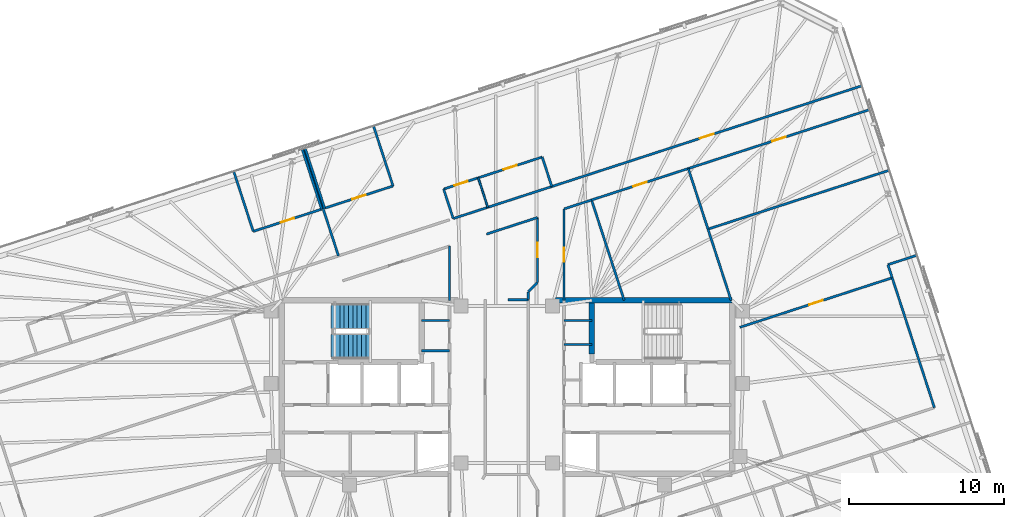
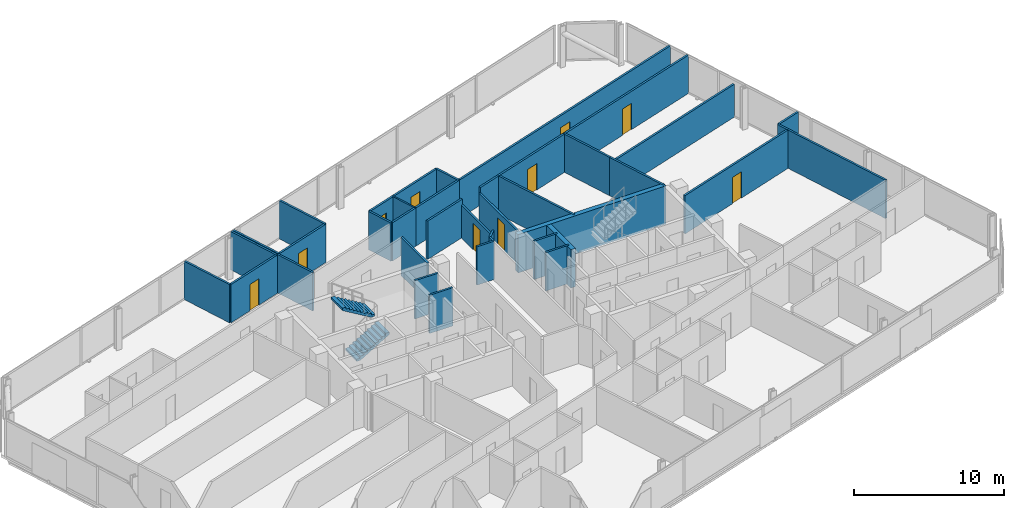
# One storey, part 17 of 19: 39 walls, 10 doors, 2 stair flights, 10 openings, 1 element without a shape of its own.
"""IFC4 building model written with IfcOpenShell, lengths in metres."""

import ifcopenshell
import ifcopenshell.guid

model = None  # the IFC model being written
_history = None  # IfcOwnerHistory: only IFC2X3 demands one
_inside = {}  # id of a spatial element -> (the spatial element, [elements in it])
_under = {}  # id of a project, library or spatial element -> (it, [spatial elements below it])
_declared = {}  # id of a project -> (the project, [libraries it declares])
_typed = {}  # id of a type object -> (the type object, [elements of that type])
_made_of = {}  # id of a material, layer set ... -> (it, [elements and type objects made of it])


def new_model(schema):
    """Start an empty IFC model of exactly this schema.

    Asked for "IFC4X3", IfcOpenShell would pick the latest addendum, in which some entities
    have other attributes; the version numbers below select the first issue.
    IFC2X3 requires an IfcOwnerHistory on every rooted entity: one is made here for all.
    """
    global model, _history
    if schema == "IFC4X3":
        model = ifcopenshell.file(schema_version=(4, 3, 0, 0))
    else:
        model = ifcopenshell.file(schema=schema)
    _inside.clear()
    _under.clear()
    _declared.clear()
    _typed.clear()
    _made_of.clear()
    _history = None
    if model.schema == "IFC2X3":
        org = make("IfcOrganization", Name="unknown")
        user = make(
            "IfcPersonAndOrganization",
            ThePerson=make("IfcPerson", FamilyName="unknown"),
            TheOrganization=org,
        )
        app = make(
            "IfcApplication",
            ApplicationDeveloper=org,
            Version="unknown",
            ApplicationFullName="unknown",
            ApplicationIdentifier="unknown",
        )
        _history = make(
            "IfcOwnerHistory",
            OwningUser=user,
            OwningApplication=app,
            ChangeAction="ADDED",
            CreationDate=0,
        )
    return model


def make(cls, **values):
    """One entity of the class cls with the attributes given. An attribute that is None is left unset."""
    return model.create_entity(
        cls, **{name: value for name, value in values.items() if value is not None}
    )


def rooted(cls, **values):
    """An entity with a GlobalId (a new one), such as an element, a storey or a relation."""
    return make(cls, GlobalId=ifcopenshell.guid.new(), OwnerHistory=_history, **values)


def si_unit(unit_type, name, prefix=None):
    """IfcSIUnit, for example si_unit("LENGTHUNIT", "METRE", prefix="MILLI")."""
    return make("IfcSIUnit", UnitType=unit_type, Prefix=prefix, Name=name)


def assignment(units):
    """IfcUnitAssignment: the units of a project."""
    return None if units is None else make("IfcUnitAssignment", Units=units)


def point(xyz):
    """IfcCartesianPoint."""
    return None if xyz is None else make("IfcCartesianPoint", Coordinates=xyz)


def direction(xyz):
    """IfcDirection."""
    return None if xyz is None else make("IfcDirection", DirectionRatios=xyz)


def frame(location, z_axis=None, x_axis=None):
    """IfcAxis2Placement3D, a coordinate frame: its origin and axes. An axis left out is left unset."""
    return make(
        "IfcAxis2Placement3D",
        Location=point(location),
        Axis=direction(z_axis),
        RefDirection=direction(x_axis),
    )


def frame_2d(location, x_axis=None):
    """IfcAxis2Placement2D, a coordinate frame in the plane: its origin and x axis."""
    return make(
        "IfcAxis2Placement2D", Location=point(location), RefDirection=direction(x_axis)
    )


def origin():
    """The frame at (0, 0, 0) with its axes left unset."""
    return frame((0.0, 0.0, 0.0))


def place(relative_to, where):
    """IfcLocalPlacement: puts the frame where relative to a parent placement (None: the world)."""
    return make(
        "IfcLocalPlacement", PlacementRelTo=relative_to, RelativePlacement=where
    )


def context(
    kind, dimensions, precision=None, world=None, true_north=None, identifier=None
):
    """IfcGeometricRepresentationContext, for example the 3D "Model" context."""
    return make(
        "IfcGeometricRepresentationContext",
        ContextIdentifier=identifier,
        ContextType=kind,
        CoordinateSpaceDimension=dimensions,
        Precision=precision,
        WorldCoordinateSystem=world,
        TrueNorth=true_north,
    )


def subcontext(parent, identifier, kind, view, scale=None):
    """IfcGeometricRepresentationSubContext, for example "Body" below "Model"."""
    return make(
        "IfcGeometricRepresentationSubContext",
        ContextIdentifier=identifier,
        ContextType=kind,
        ParentContext=parent,
        TargetScale=scale,
        TargetView=view,
    )


def project(units=None, contexts=None):
    """IfcProject with its units and contexts."""
    return rooted(
        "IfcProject",
        Name="project",
        RepresentationContexts=contexts,
        UnitsInContext=assignment(units),
    )


def spatial(cls, under=None, at=None, **own):
    """A site, building, storey or space (cls), placed at a placement, below another one or the project."""
    s = rooted(cls, ObjectPlacement=at, **own)
    if under is not None:
        _under.setdefault(under.id(), (under, []))[1].append(s)
    return s


def polyline(points):
    """IfcPolyline through the points."""
    return make("IfcPolyline", Points=[point(p) for p in points])


def profile(cls, at=None, kind="AREA", **sizes):
    """A parametric profile (cls). Its sizes go by their IFC names, for example OverallWidth=200.0."""
    return make(cls, ProfileType=kind, Position=at, **sizes)


def rectangle(**sizes):
    """IfcRectangleProfileDef."""
    return profile("IfcRectangleProfileDef", **sizes)


def outline(outer, holes=None, kind="AREA"):
    """IfcArbitraryClosedProfileDef: a profile drawn as a closed curve; with holes, ...WithVoids."""
    if holes is None:
        return make("IfcArbitraryClosedProfileDef", ProfileType=kind, OuterCurve=outer)
    return make(
        "IfcArbitraryProfileDefWithVoids",
        ProfileType=kind,
        OuterCurve=outer,
        InnerCurves=holes,
    )


def extrude(swept, where, along, depth):
    """IfcExtrudedAreaSolid: the profile swept, set in the frame where, extruded along a direction by depth."""
    return make(
        "IfcExtrudedAreaSolid",
        SweptArea=swept,
        Position=where,
        ExtrudedDirection=direction(along),
        Depth=depth,
    )


def shape(context_of_items, identifier, shape_type, items):
    """IfcShapeRepresentation: the items that make up one representation, for example the "Body"."""
    return make(
        "IfcShapeRepresentation",
        ContextOfItems=context_of_items,
        RepresentationIdentifier=identifier,
        RepresentationType=shape_type,
        Items=items,
    )


def material(Name=None, Category=None):
    """IfcMaterial."""
    return make("IfcMaterial", Name=Name, Category=Category)


def layer(
    of_material, thickness, ventilated=None, Name=None, Category=None, Priority=None
):
    """IfcMaterialLayer: one layer of a wall or slab, of a material (None: an air gap)."""
    return make(
        "IfcMaterialLayer",
        Material=of_material,
        LayerThickness=thickness,
        IsVentilated=ventilated,
        Name=Name,
        Category=Category,
        Priority=Priority,
    )


def layer_set(layers, Name=None):
    """IfcMaterialLayerSet."""
    return make("IfcMaterialLayerSet", MaterialLayers=layers, LayerSetName=Name)


def made_of(thing, what):
    """Note that an element or type object is made of a material, layer set ...; save() writes the relation."""
    if what is not None:
        _made_of.setdefault(what.id(), (what, []))[1].append(thing)
    return thing


def type_object(cls, material=None, **own):
    """A type object (cls), such as IfcWallType, which elements share."""
    return made_of(rooted(cls, **own), material)


def element(
    cls,
    number,
    at=None,
    inside=None,
    cuts=None,
    type_object=None,
    material=None,
    context=None,
    identifier="Body",
    shape_type=None,
    held_by="IfcProductDefinitionShape",
    body=None,
    shapes=None,
    **own,
):
    """One element of the class cls, such as IfcWall. Its Tag is "e" and its number.

    at: its placement. inside: the storey or other place that contains it. cuts: it is an
    opening in that element (IfcRelVoidsElement). A single representation is given by context,
    identifier, shape_type and body (its items); several are given by shapes. held_by: the class
    of the entity that holds the representations. save() writes the other relations.
    """
    e = rooted(cls, Tag="e%d" % number, ObjectPlacement=at, **own)
    if body is not None:
        shapes = [shape(context, identifier, shape_type, body)]
    if shapes is not None:
        e.Representation = make(held_by, Representations=shapes)
    if inside is not None:
        _inside.setdefault(inside.id(), (inside, []))[1].append(e)
    if cuts is not None:
        rooted(
            "IfcRelVoidsElement", RelatingBuildingElement=cuts, RelatedOpeningElement=e
        )
    if type_object is not None:
        _typed.setdefault(type_object.id(), (type_object, []))[1].append(e)
    return made_of(e, material)


def fill(opening, filler):
    """IfcRelFillsElement: the door or window that sits in an opening."""
    return rooted(
        "IfcRelFillsElement",
        RelatingOpeningElement=opening,
        RelatedBuildingElement=filler,
    )


def aggregate(whole, parts):
    """IfcRelAggregates: a whole, such as a stair, and the parts it consists of."""
    return rooted("IfcRelAggregates", RelatingObject=whole, RelatedObjects=parts)


def save(model, path):
    """Write the relations noted so far, then the file.

    IfcRelAggregates (storeys below a building ...), IfcRelContainedInSpatialStructure (elements
    in a storey), IfcRelDefinesByType, IfcRelAssociatesMaterial and IfcRelDeclares: one each for
    every whole, place, type object, material and project.
    """
    for whole, parts in _under.values():
        aggregate(whole, parts)
    for where, things in _inside.values():
        rooted(
            "IfcRelContainedInSpatialStructure",
            RelatedElements=things,
            RelatingStructure=where,
        )
    for kind, things in _typed.values():
        rooted("IfcRelDefinesByType", RelatedObjects=things, RelatingType=kind)
    for what, things in _made_of.values():
        rooted("IfcRelAssociatesMaterial", RelatedObjects=things, RelatingMaterial=what)
    for by, libraries in _declared.values():
        rooted("IfcRelDeclares", RelatingContext=by, RelatedDefinitions=libraries)
    model.write(path)


model = new_model("IFC4")

# Units and contexts
model_context = context("Model", 3, precision=1e-05, world=origin(), true_north=direction((0.0, 1.0)))
body_context = subcontext(model_context, "Body", "Model", "MODEL_VIEW")
ifc_project = project(units=[si_unit("LENGTHUNIT", "METRE"), si_unit("AREAUNIT", "SQUARE_METRE"), si_unit("VOLUMEUNIT", "CUBIC_METRE"), si_unit("PLANEANGLEUNIT", "RADIAN"), si_unit("MASSUNIT", "GRAM", prefix="KILO")], contexts=[model_context])

# Site, building, storey
site_placement = place(None, origin())
site = spatial("IfcSite", under=ifc_project, at=site_placement, CompositionType="ELEMENT")
building_placement = place(site_placement, origin())
building = spatial("IfcBuilding", under=site, at=building_placement, Name="Menara Jurai Vektor", CompositionType="ELEMENT")
storey_placement = place(building_placement, frame((0.0, 0.0, 220.949951171875)))
storey = spatial("IfcBuildingStorey", under=building, at=storey_placement, Name="L58", CompositionType="ELEMENT", Elevation=220.949951171875)

# Walls
ifc_material_1 = material(Name="Gypsum Fireboard Partition", Category="gypsum")
ifc_layer_1 = layer(ifc_material_1, 0.14990234375)
ifc_layer_set_1 = layer_set([ifc_layer_1], Name="Gypsum Fireboard Partition")
wall_type_1 = type_object("IfcWallType", Name="INT-WALL-CORR-150", PredefinedType="PARTITIONING", material=ifc_layer_set_1)
for number, where, z_axis, x_axis, name in (
    (1, (-5.5, 4.300048828125, 0.0), (0.0, 0.0, 1.0), (1.0, 0.0, 0.0), "Interior Wall IW-150 L58"),
    (2, (-5.5, 2.35009765625, 0.0), (0.0, 0.0, 1.0), (1.0, 0.0, 0.0), "Interior Wall IW-150 L58"),
    (3, (3.699951171875, 4.300048828125, 0.0), (0.0, 0.0, 1.0), (1.0, 0.0, 0.0), "Interior Wall IW-150 L58"),
    (4, (3.699951171875, 2.75, 0.0), (0.0, 0.0, 1.0), (1.0, 0.0, 0.0), "Interior Wall IW-150 L58"),
):
    element("IfcWall", number, at=place(storey_placement, frame(where, z_axis=z_axis, x_axis=x_axis)), inside=storey, type_object=wall_type_1, Name=name, PredefinedType="PARTITIONING", context=body_context, shape_type="SweptSolid", body=[
        extrude(rectangle(XDim=1.800048828125, YDim=0.14990234375, at=frame_2d((0.89990234375, 0.0))), origin(), (0.0, 0.0, 1.0), 3.125),
    ])

# Wall, opening, door
wall_1_placement = place(storey_placement, frame((2.90869140625, 12.960205078125, 0.0), z_axis=(0.0, 0.0, 1.0), x_axis=(0.951056113966, 0.309018232614, 0.0)))
wall_1 = element("IfcWall", 5, at=wall_1_placement, inside=storey, type_object=wall_type_1, Name="Interior Wall IW-150 L58", PredefinedType="PARTITIONING", context=body_context, shape_type="SweptSolid", body=[
    extrude(rectangle(XDim=21.076171875, YDim=0.14990234375, at=frame_2d((10.5380859375, 0.0))), origin(), (0.0, 0.0, 1.0), 3.125),
])
opening_1_placement = place(wall_1_placement, frame((10.06298828125, 0.0, 0.0)))
opening_1 = element("IfcOpeningElement", 6, at=opening_1_placement, cuts=wall_1, Name="Opening D58-14", PredefinedType="OPENING", context=body_context, shape_type="SweptSolid", body=[
    extrude(rectangle(XDim=0.949951171875, YDim=2.14990234375, at=frame_2d((0.47509765625, 1.074951171875))), frame((0.0, 0.0849609375, 0.0), z_axis=(0.0, -1.0, 0.0), x_axis=(1.0, 0.0, 0.0)), (0.0, 0.0, 1.0), 0.169921875),
])
ifc_material_2 = material(Name="Solid Core Timber Fire Door", Category="wood")
door_type_1 = type_object("IfcDoorType", Name="DR-ENTRY-950", OperationType="NOTDEFINED", PredefinedType="DOOR", material=ifc_material_2)
door_1_placement = place(opening_1_placement, origin())
door_1 = element("IfcDoor", 7, at=door_1_placement, inside=storey, type_object=door_type_1, Name="Interior Door D58-14", OperationType="SINGLE_SWING_RIGHT", OverallHeight=2.14990234375, OverallWidth=0.949951171875, PredefinedType="DOOR", context=body_context, shape_type="SweptSolid", body=[
    extrude(rectangle(XDim=0.949951171875, YDim=2.14990234375, at=frame_2d((0.47509765625, 1.074951171875))), frame((0.0, 0.02490234375, 0.0), z_axis=(0.0, -1.0, 0.0), x_axis=(1.0, 0.0, 0.0)), (0.0, 0.0, 1.0), 0.050048828125),
])
fill(opening_1, door_1)

# Walls
wall_2_placement = place(storey_placement, frame((-3.46337890625, 10.889892578125, 0.0), z_axis=(0.0, 0.0, 1.0), x_axis=(0.951045519245, 0.309050837767, 0.0)))
element("IfcWall", 8, at=wall_2_placement, inside=storey, type_object=wall_type_1, Name="Interior Wall IW-150 L58", PredefinedType="PARTITIONING", context=body_context, shape_type="SweptSolid", body=[
    extrude(rectangle(XDim=2.35009765625, YDim=0.14990234375, at=frame_2d((1.175048828125, 0.0))), origin(), (0.0, 0.0, 1.0), 3.125),
])
wall_3_placement = place(storey_placement, frame((-1.228271484375, 11.6162109375, 0.0), z_axis=(0.0, 0.0, 1.0), x_axis=(0.951069122051, 0.308978195154, 0.0)))
element("IfcWall", 9, at=wall_3_placement, inside=storey, type_object=wall_type_1, Name="Interior Wall IW-150 L58", PredefinedType="PARTITIONING", context=body_context, shape_type="SweptSolid", body=[
    extrude(rectangle(XDim=4.349853515625, YDim=0.14990234375, at=frame_2d((2.1748046875, 0.0))), origin(), (0.0, 0.0, 1.0), 3.125),
])
wall_4_placement = place(storey_placement, frame((3.699462890625, 11.513916015625, 0.0), z_axis=(0.0, 0.0, 1.0), x_axis=(0.951069540665, 0.308976906612, 0.0)))
element("IfcWall", 10, at=wall_4_placement, inside=storey, type_object=wall_type_1, Name="Interior Wall IW-150 L58", PredefinedType="PARTITIONING", context=body_context, shape_type="SweptSolid", body=[
    extrude(rectangle(XDim=1.87109375, YDim=0.14990234375, at=frame_2d((0.935546875, 0.0))), origin(), (0.0, 0.0, 1.0), 3.125),
])

# Wall, opening, door
wall_5_placement = place(storey_placement, frame((5.47900390625, 12.092041015625, 0.0), z_axis=(0.0, 0.0, 1.0), x_axis=(0.951051809397, 0.309031480343, 0.0)))
wall_5 = element("IfcWall", 11, at=wall_5_placement, inside=storey, type_object=wall_type_1, Name="Interior Wall IW-150 L58", PredefinedType="PARTITIONING", context=body_context, shape_type="SweptSolid", body=[
    extrude(rectangle(XDim=6.572998046875, YDim=0.14990234375, at=frame_2d((3.28662109375, 0.0))), origin(), (0.0, 0.0, 1.0), 3.125),
])
opening_2_placement = place(wall_5_placement, frame((2.826416015625, 0.0, 0.0)))
opening_2 = element("IfcOpeningElement", 12, at=opening_2_placement, cuts=wall_5, Name="Opening D58-46", PredefinedType="OPENING", context=body_context, shape_type="SweptSolid", body=[
    extrude(rectangle(XDim=0.919921875, YDim=2.14990234375, at=frame_2d((0.4599609375, 1.074951171875))), frame((0.0, 0.0849609375, 0.0), z_axis=(0.0, -1.0, 0.0), x_axis=(1.0, 0.0, 0.0)), (0.0, 0.0, 1.0), 0.169921875),
])
door_2_placement = place(opening_2_placement, origin())
door_2 = element("IfcDoor", 13, at=door_2_placement, inside=storey, type_object=door_type_1, Name="Interior Door D58-46", OperationType="SINGLE_SWING_RIGHT", OverallHeight=2.14990234375, OverallWidth=0.919921875, PredefinedType="DOOR", context=body_context, shape_type="SweptSolid", body=[
    extrude(rectangle(XDim=0.919921875, YDim=2.14990234375, at=frame_2d((0.4599609375, 1.074951171875))), frame((0.0, 0.02490234375, 0.0), z_axis=(0.0, -1.0, 0.0), x_axis=(1.0, 0.0, 0.0)), (0.0, 0.0, 1.0), 0.050048828125),
])
fill(opening_2, door_2)

# Walls
wall_6_placement = place(storey_placement, frame((-1.310791015625, 9.885986328125, 0.0), z_axis=(0.0, 0.0, 1.0), x_axis=(0.951068803905, 0.308979174442, 0.0)))
element("IfcWall", 14, at=wall_6_placement, inside=storey, type_object=wall_type_1, Name="Interior Wall IW-150 L58", PredefinedType="PARTITIONING", context=body_context, shape_type="SweptSolid", body=[
    extrude(rectangle(XDim=3.4599609375, YDim=0.14990234375, at=frame_2d((1.72998046875, 0.0))), origin(), (0.0, 0.0, 1.0), 3.125),
])
wall_7_placement = place(storey_placement, frame((1.390625, 5.6494140625, 0.0), z_axis=(0.0, 0.0, 1.0), x_axis=(0.000957395444, 0.999999541697, 0.0)))
element("IfcWall", 15, at=wall_7_placement, inside=storey, type_object=wall_type_1, Name="Interior Wall IW-150 L58", PredefinedType="PARTITIONING", context=body_context, shape_type="SweptSolid", body=[
    extrude(rectangle(XDim=0.510009765625, YDim=0.14990234375, at=frame_2d((0.2548828125, 0.0))), origin(), (0.0, 0.0, 1.0), 3.125),
])
wall_8_placement = place(storey_placement, frame((1.39111328125, 6.159423828125, 0.0), z_axis=(0.0, 0.0, 1.0), x_axis=(0.707106781187, 0.707106781187, 0.0)))
element("IfcWall", 16, at=wall_8_placement, inside=storey, type_object=wall_type_1, Name="Interior Wall IW-150 L58", PredefinedType="PARTITIONING", context=body_context, shape_type="SweptSolid", body=[
    extrude(rectangle(XDim=0.832763671875, YDim=0.14990234375, at=frame_2d((0.41650390625, 0.0))), origin(), (0.0, 0.0, 1.0), 3.125),
])
wall_9_placement = place(storey_placement, frame((-3.7001953125, 5.599853515625, 0.0), z_axis=(0.0, 0.0, 1.0), x_axis=(0.000139120755, 0.999999990323, 0.0)))
element("IfcWall", 17, at=wall_9_placement, inside=storey, type_object=wall_type_1, Name="Interior Wall IW-150 L58", PredefinedType="PARTITIONING", context=body_context, shape_type="SweptSolid", body=[
    extrude(rectangle(XDim=3.509765625, YDim=0.14990234375, at=frame_2d((1.7548828125, 0.0))), origin(), (0.0, 0.0, 1.0), 3.125),
])
wall_10_placement = place(storey_placement, frame((27.63671875, -1.331787109375, 0.0), z_axis=(0.0, 0.0, 1.0), x_axis=(-0.309040411618, 0.951048907253, 0.0)))
element("IfcWall", 18, at=wall_10_placement, inside=storey, type_object=wall_type_1, Name="Interior Wall IW-150 L58", PredefinedType="PARTITIONING", context=body_context, shape_type="SweptSolid", body=[
    extrude(rectangle(XDim=8.825927734375, YDim=0.14990234375, at=frame_2d((4.4130859375, 0.0))), origin(), (0.0, 0.0, 1.0), 3.125),
])
wall_11_placement = place(storey_placement, frame((24.9091796875, 7.06201171875, 0.0), z_axis=(0.0, 0.0, 1.0), x_axis=(-0.30899324298, 0.951064233263, 0.0)))
element("IfcWall", 19, at=wall_11_placement, inside=storey, type_object=wall_type_1, Name="Interior Wall IW-150 L58", PredefinedType="PARTITIONING", context=body_context, shape_type="SweptSolid", body=[
    extrude(rectangle(XDim=0.89208984375, YDim=0.14990234375, at=frame_2d((0.446044921875, 0.0))), origin(), (0.0, 0.0, 1.0), 3.125),
])
wall_12_placement = place(storey_placement, frame((24.633544921875, 7.910400390625, 0.0), z_axis=(0.0, 0.0, 1.0), x_axis=(0.951054051148, 0.309024581215, 0.0)))
element("IfcWall", 20, at=wall_12_placement, inside=storey, type_object=wall_type_1, Name="Interior Wall IW-150 L58", PredefinedType="PARTITIONING", context=body_context, shape_type="SweptSolid", body=[
    extrude(rectangle(XDim=1.97509765625, YDim=0.14990234375, at=frame_2d((0.987548828125, 0.0))), origin(), (0.0, 0.0, 1.0), 3.125),
])

# Wall, opening, door
wall_13_placement = place(storey_placement, frame((11.730224609375, 14.123291015625, 0.0), z_axis=(0.0, 0.0, 1.0), x_axis=(0.951060263663, 0.309005460926, 0.0)))
wall_13 = element("IfcWall", 21, at=wall_13_placement, inside=storey, type_object=wall_type_1, Name="Interior Wall IW-150 L58", PredefinedType="PARTITIONING", context=body_context, shape_type="SweptSolid", body=[
    extrude(rectangle(XDim=12.326904296875, YDim=0.14990234375, at=frame_2d((6.16357421875, 0.0))), origin(), (0.0, 0.0, 1.0), 3.125),
])
opening_3_placement = place(wall_13_placement, frame((5.70361328125, 0.0, 0.0)))
opening_3 = element("IfcOpeningElement", 22, at=opening_3_placement, cuts=wall_13, Name="Opening D58-52", PredefinedType="OPENING", context=body_context, shape_type="SweptSolid", body=[
    extrude(rectangle(XDim=0.919921875, YDim=2.14990234375, at=frame_2d((0.4599609375, 1.074951171875))), frame((0.0, 0.0849609375, 0.0), z_axis=(0.0, -1.0, 0.0), x_axis=(1.0, 0.0, 0.0)), (0.0, 0.0, 1.0), 0.169921875),
])
door_3_placement = place(opening_3_placement, origin())
door_3 = element("IfcDoor", 23, at=door_3_placement, inside=storey, type_object=door_type_1, Name="Interior Door D58-52", OperationType="SINGLE_SWING_RIGHT", OverallHeight=2.14990234375, OverallWidth=0.919921875, PredefinedType="DOOR", context=body_context, shape_type="SweptSolid", body=[
    extrude(rectangle(XDim=0.919921875, YDim=2.14990234375, at=frame_2d((0.4599609375, 1.074951171875))), frame((0.0, 0.02490234375, 0.0), z_axis=(0.0, -1.0, 0.0), x_axis=(1.0, 0.0, 0.0)), (0.0, 0.0, 1.0), 0.050048828125),
])
fill(opening_3, door_3)

# Walls
wall_14_placement = place(storey_placement, frame((0.065673828125, 5.64990234375, 0.0), z_axis=(0.0, 0.0, 1.0), x_axis=(0.999999932094, -0.000368527707, 0.0)))
element("IfcWall", 24, at=wall_14_placement, inside=storey, type_object=wall_type_1, Name="Interior Wall IW-150 L58", PredefinedType="PARTITIONING", context=body_context, shape_type="SweptSolid", body=[
    extrude(rectangle(XDim=1.324951171875, YDim=0.14990234375, at=frame_2d((0.66259765625, 0.0))), origin(), (0.0, 0.0, 1.0), 3.125),
])
wall_15_placement = place(storey_placement, frame((-16.389404296875, 10.059814453125, 0.0), z_axis=(0.0, 0.0, 1.0), x_axis=(-0.309018403393, 0.951056058476, 0.0)))
element("IfcWall", 25, at=wall_15_placement, inside=storey, type_object=wall_type_1, Name="Interior Wall IW-150 L58", PredefinedType="PARTITIONING", context=body_context, shape_type="SweptSolid", body=[
    extrude(rectangle(XDim=4.0791015625, YDim=0.14990234375, at=frame_2d((2.03955078125, 0.0))), origin(), (0.0, 0.0, 1.0), 3.125),
])

# Wall, opening, door
wall_16_placement = place(storey_placement, frame((-16.389404296875, 10.059814453125, 0.0), z_axis=(0.0, 0.0, 1.0), x_axis=(0.951050272606, 0.309036209813, 0.0)))
wall_16 = element("IfcWall", 26, at=wall_16_placement, inside=storey, type_object=wall_type_1, Name="Interior Wall IW-150 L58", PredefinedType="PARTITIONING", context=body_context, shape_type="SweptSolid", body=[
    extrude(rectangle(XDim=4.64990234375, YDim=0.14990234375, at=frame_2d((2.324951171875, 0.0))), origin(), (0.0, 0.0, 1.0), 3.125),
])
opening_4_placement = place(wall_16_placement, frame((1.875, 0.0, 0.0)))
opening_4 = element("IfcOpeningElement", 27, at=opening_4_placement, cuts=wall_16, Name="Opening D58-13", PredefinedType="OPENING", context=body_context, shape_type="SweptSolid", body=[
    extrude(rectangle(XDim=0.89990234375, YDim=2.14990234375, at=frame_2d((0.449951171875, 1.074951171875))), frame((0.0, 0.0849609375, 0.0), z_axis=(0.0, -1.0, 0.0), x_axis=(1.0, 0.0, 0.0)), (0.0, 0.0, 1.0), 0.169921875),
])
ifc_material_3 = material(Name="Acoustic Timber Interior Door", Category="wood")
door_type_2 = type_object("IfcDoorType", Name="DR-ROOM-900", OperationType="NOTDEFINED", PredefinedType="DOOR", material=ifc_material_3)
door_4_placement = place(opening_4_placement, origin())
door_4 = element("IfcDoor", 28, at=door_4_placement, inside=storey, type_object=door_type_2, Name="Interior Door D58-13", OperationType="SINGLE_SWING_LEFT", OverallHeight=2.14990234375, OverallWidth=0.89990234375, PredefinedType="DOOR", context=body_context, shape_type="SweptSolid", body=[
    extrude(rectangle(XDim=0.89990234375, YDim=2.14990234375, at=frame_2d((0.449951171875, 1.074951171875))), frame((0.0, 0.02490234375, 0.0), z_axis=(0.0, -1.0, 0.0), x_axis=(1.0, 0.0, 0.0)), (0.0, 0.0, 1.0), 0.050048828125),
])
fill(opening_4, door_4)

# Walls
wall_17_placement = place(storey_placement, frame((-11.967041015625, 11.496826171875, 0.0), z_axis=(0.0, 0.0, 1.0), x_axis=(-0.309018403393, 0.951056058476, 0.0)))
element("IfcWall", 29, at=wall_17_placement, inside=storey, type_object=wall_type_1, Name="Interior Wall IW-150 L58", PredefinedType="PARTITIONING", context=body_context, shape_type="SweptSolid", body=[
    extrude(rectangle(XDim=4.0791015625, YDim=0.14990234375, at=frame_2d((2.03955078125, 0.0))), origin(), (0.0, 0.0, 1.0), 3.125),
])
wall_18_placement = place(storey_placement, frame((-10.881591796875, 8.4794921875, 0.0), z_axis=(0.0, 0.0, 1.0), x_axis=(-0.308998913866, 0.951062390819, 0.0)))
element("IfcWall", 30, at=wall_18_placement, inside=storey, type_object=wall_type_1, Name="Interior Wall IW-150 L58", PredefinedType="PARTITIONING", context=body_context, shape_type="SweptSolid", body=[
    extrude(rectangle(XDim=7.283935546875, YDim=0.14990234375, at=frame_2d((3.64208984375, 0.0))), origin(), (0.0, 0.0, 1.0), 3.125),
])
wall_19_placement = place(storey_placement, frame((-3.46337890625, 10.889892578125, 0.0), z_axis=(0.0, 0.0, 1.0), x_axis=(-0.308912611775, 0.951090425925, 0.0)))
element("IfcWall", 31, at=wall_19_placement, inside=storey, type_object=wall_type_1, Name="Interior Wall IW-150 L58", PredefinedType="PARTITIONING", context=body_context, shape_type="SweptSolid", body=[
    extrude(rectangle(XDim=2.005126953125, YDim=0.14990234375, at=frame_2d((1.00244140625, 0.0))), origin(), (0.0, 0.0, 1.0), 3.125),
])

# Wall, opening, door
wall_20_placement = place(storey_placement, frame((-4.082763671875, 12.796875, 0.0), z_axis=(0.0, 0.0, 1.0), x_axis=(0.951066131077, 0.308987401554, 0.0)))
wall_20 = element("IfcWall", 32, at=wall_20_placement, inside=storey, type_object=wall_type_1, Name="Interior Wall IW-150 L58", PredefinedType="PARTITIONING", context=body_context, shape_type="SweptSolid", body=[
    extrude(rectangle(XDim=2.349853515625, YDim=0.14990234375, at=frame_2d((1.1748046875, 0.0))), origin(), (0.0, 0.0, 1.0), 3.125),
])
opening_5_placement = place(wall_20_placement, frame((0.735107421875, 0.0, 0.0)))
opening_5 = element("IfcOpeningElement", 33, at=opening_5_placement, cuts=wall_20, Name="Opening D58-15", PredefinedType="OPENING", context=body_context, shape_type="SweptSolid", body=[
    extrude(rectangle(XDim=0.8798828125, YDim=2.14990234375, at=frame_2d((0.43994140625, 1.074951171875))), frame((0.0, 0.0849609375, 0.0), z_axis=(0.0, -1.0, 0.0), x_axis=(1.0, 0.0, 0.0)), (0.0, 0.0, 1.0), 0.169921875),
])
ifc_material_4 = material(Name="Moisture-Resistant Timber Door", Category="wood")
door_type_3 = type_object("IfcDoorType", Name="DR-BATH-880", OperationType="NOTDEFINED", PredefinedType="DOOR", material=ifc_material_4)
door_5_placement = place(opening_5_placement, origin())
door_5 = element("IfcDoor", 34, at=door_5_placement, inside=storey, type_object=door_type_3, Name="Interior Door D58-15", OperationType="SINGLE_SWING_LEFT", OverallHeight=2.14990234375, OverallWidth=0.8798828125, PredefinedType="DOOR", context=body_context, shape_type="SweptSolid", body=[
    extrude(rectangle(XDim=0.8798828125, YDim=2.14990234375, at=frame_2d((0.43994140625, 1.074951171875))), frame((0.0, 0.02490234375, 0.0), z_axis=(0.0, -1.0, 0.0), x_axis=(1.0, 0.0, 0.0)), (0.0, 0.0, 1.0), 0.050048828125),
])
fill(opening_5, door_5)

wall_21_placement = place(storey_placement, frame((-1.847900390625, 13.52294921875, 0.0), z_axis=(0.0, 0.0, 1.0), x_axis=(0.951057987102, 0.309012467661, 0.0)))
wall_21 = element("IfcWall", 35, at=wall_21_placement, inside=storey, type_object=wall_type_1, Name="Interior Wall IW-150 L58", PredefinedType="PARTITIONING", context=body_context, shape_type="SweptSolid", body=[
    extrude(rectangle(XDim=4.35009765625, YDim=0.14990234375, at=frame_2d((2.175048828125, 0.0))), origin(), (0.0, 0.0, 1.0), 3.125),
])
opening_6_placement = place(wall_21_placement, frame((1.72509765625, 0.0, 0.0)))
opening_6 = element("IfcOpeningElement", 36, at=opening_6_placement, cuts=wall_21, Name="Opening D58-16", PredefinedType="OPENING", context=body_context, shape_type="SweptSolid", body=[
    extrude(rectangle(XDim=0.89990234375, YDim=2.14990234375, at=frame_2d((0.449951171875, 1.074951171875))), frame((0.0, 0.0849609375, 0.0), z_axis=(0.0, -1.0, 0.0), x_axis=(1.0, 0.0, 0.0)), (0.0, 0.0, 1.0), 0.169921875),
])
door_6_placement = place(opening_6_placement, origin())
door_6 = element("IfcDoor", 37, at=door_6_placement, inside=storey, type_object=door_type_2, Name="Interior Door D58-16", OperationType="SINGLE_SWING_RIGHT", OverallHeight=2.14990234375, OverallWidth=0.89990234375, PredefinedType="DOOR", context=body_context, shape_type="SweptSolid", body=[
    extrude(rectangle(XDim=0.89990234375, YDim=2.14990234375, at=frame_2d((0.449951171875, 1.074951171875))), frame((0.0, 0.02490234375, 0.0), z_axis=(0.0, -1.0, 0.0), x_axis=(1.0, 0.0, 0.0)), (0.0, 0.0, 1.0), 0.050048828125),
])
fill(opening_6, door_6)

# Walls
wall_22_placement = place(storey_placement, frame((2.90869140625, 12.960205078125, 0.0), z_axis=(0.0, 0.0, 1.0), x_axis=(-0.308912611775, 0.951090425925, 0.0)))
element("IfcWall", 38, at=wall_22_placement, inside=storey, type_object=wall_type_1, Name="Interior Wall IW-150 L58", PredefinedType="PARTITIONING", context=body_context, shape_type="SweptSolid", body=[
    extrude(rectangle(XDim=2.005126953125, YDim=0.14990234375, at=frame_2d((1.00244140625, 0.0))), origin(), (0.0, 0.0, 1.0), 3.125),
])
wall_23_placement = place(storey_placement, frame((-11.77685546875, 11.55859375, 0.0), z_axis=(0.0, 0.0, 1.0), x_axis=(-0.309018403393, 0.951056058476, 0.0)))
element("IfcWall", 39, at=wall_23_placement, inside=storey, type_object=wall_type_1, Name="Interior Wall IW-150 L58", PredefinedType="PARTITIONING", context=body_context, shape_type="SweptSolid", body=[
    extrude(rectangle(XDim=4.0791015625, YDim=0.14990234375, at=frame_2d((2.03955078125, 0.0))), origin(), (0.0, 0.0, 1.0), 3.125),
])

# Wall, opening, door
wall_24_placement = place(storey_placement, frame((-11.77685546875, 11.55859375, 0.0), z_axis=(0.0, 0.0, 1.0), x_axis=(0.951050272606, 0.309036209813, 0.0)))
wall_24 = element("IfcWall", 40, at=wall_24_placement, inside=storey, type_object=wall_type_1, Name="Interior Wall IW-150 L58", PredefinedType="PARTITIONING", context=body_context, shape_type="SweptSolid", body=[
    extrude(rectangle(XDim=4.64990234375, YDim=0.14990234375, at=frame_2d((2.324951171875, 0.0))), origin(), (0.0, 0.0, 1.0), 3.125),
])
opening_7_placement = place(wall_24_placement, frame((1.875, 0.0, 0.0)))
opening_7 = element("IfcOpeningElement", 41, at=opening_7_placement, cuts=wall_24, Name="Opening D58-17", PredefinedType="OPENING", context=body_context, shape_type="SweptSolid", body=[
    extrude(rectangle(XDim=0.89990234375, YDim=2.14990234375, at=frame_2d((0.449951171875, 1.074951171875))), frame((0.0, 0.0849609375, 0.0), z_axis=(0.0, -1.0, 0.0), x_axis=(1.0, 0.0, 0.0)), (0.0, 0.0, 1.0), 0.169921875),
])
door_7_placement = place(opening_7_placement, origin())
door_7 = element("IfcDoor", 42, at=door_7_placement, inside=storey, type_object=door_type_2, Name="Interior Door D58-17", OperationType="SINGLE_SWING_LEFT", OverallHeight=2.14990234375, OverallWidth=0.89990234375, PredefinedType="DOOR", context=body_context, shape_type="SweptSolid", body=[
    extrude(rectangle(XDim=0.89990234375, YDim=2.14990234375, at=frame_2d((0.449951171875, 1.074951171875))), frame((0.0, 0.02490234375, 0.0), z_axis=(0.0, -1.0, 0.0), x_axis=(1.0, 0.0, 0.0)), (0.0, 0.0, 1.0), 0.050048828125),
])
fill(opening_7, door_7)

# Walls
wall_25_placement = place(storey_placement, frame((-7.3544921875, 12.99560546875, 0.0), z_axis=(0.0, 0.0, 1.0), x_axis=(-0.309018403393, 0.951056058476, 0.0)))
element("IfcWall", 43, at=wall_25_placement, inside=storey, type_object=wall_type_1, Name="Interior Wall IW-150 L58", PredefinedType="PARTITIONING", context=body_context, shape_type="SweptSolid", body=[
    extrude(rectangle(XDim=4.0791015625, YDim=0.14990234375, at=frame_2d((2.03955078125, 0.0))), origin(), (0.0, 0.0, 1.0), 3.125),
])
wall_26_placement = place(storey_placement, frame((7.58837890625, 5.60009765625, 0.0), z_axis=(0.0, 0.0, 1.0), x_axis=(-0.309018946982, 0.951055881852, 0.0)))
element("IfcWall", 44, at=wall_26_placement, inside=storey, type_object=wall_type_1, Name="Interior Wall IW-150 L58", PredefinedType="PARTITIONING", context=body_context, shape_type="SweptSolid", body=[
    extrude(rectangle(XDim=6.825927734375, YDim=0.14990234375, at=frame_2d((3.4130859375, 0.0))), origin(), (0.0, 0.0, 1.0), 3.125),
])
wall_27_placement = place(storey_placement, frame((14.49951171875, 5.599853515625, 0.0), z_axis=(0.0, 0.0, 1.0), x_axis=(-0.308974360462, 0.951070367837, 0.0)))
element("IfcWall", 45, at=wall_27_placement, inside=storey, type_object=wall_type_1, Name="Interior Wall IW-150 L58", PredefinedType="PARTITIONING", context=body_context, shape_type="SweptSolid", body=[
    extrude(rectangle(XDim=4.843017578125, YDim=0.14990234375, at=frame_2d((2.42138671875, 0.0))), origin(), (0.0, 0.0, 1.0), 3.125),
])
wall_28_placement = place(storey_placement, frame((13.003173828125, 10.205810546875, 0.0), z_axis=(0.0, 0.0, 1.0), x_axis=(-0.309035144366, 0.951050618814, 0.0)))
element("IfcWall", 46, at=wall_28_placement, inside=storey, type_object=wall_type_1, Name="Interior Wall IW-150 L58", PredefinedType="PARTITIONING", context=body_context, shape_type="SweptSolid", body=[
    extrude(rectangle(XDim=4.119140625, YDim=0.14990234375, at=frame_2d((2.0595703125, 0.0))), origin(), (0.0, 0.0, 1.0), 3.125),
])

# Wall, opening, door
wall_29_placement = place(storey_placement, frame((15.06396484375, 3.86328125, 0.0), z_axis=(0.0, 0.0, 1.0), x_axis=(0.951061448945, 0.309001812827, 0.0)))
wall_29 = element("IfcWall", 47, at=wall_29_placement, inside=storey, type_object=wall_type_1, Name="Interior Wall IW-150 L58", PredefinedType="PARTITIONING", context=body_context, shape_type="SweptSolid", body=[
    extrude(rectangle(XDim=10.351806640625, YDim=0.14990234375, at=frame_2d((5.17578125, 0.0))), origin(), (0.0, 0.0, 1.0), 3.125),
])
opening_8_placement = place(wall_29_placement, frame((4.716064453125, 0.0, 0.0)))
opening_8 = element("IfcOpeningElement", 48, at=opening_8_placement, cuts=wall_29, Name="Opening D58-51", PredefinedType="OPENING", context=body_context, shape_type="SweptSolid", body=[
    extrude(rectangle(XDim=0.919921875, YDim=2.14990234375, at=frame_2d((0.4599609375, 1.074951171875))), frame((0.0, 0.0849609375, 0.0), z_axis=(0.0, -1.0, 0.0), x_axis=(1.0, 0.0, 0.0)), (0.0, 0.0, 1.0), 0.169921875),
])
door_8_placement = place(opening_8_placement, origin())
door_8 = element("IfcDoor", 49, at=door_8_placement, inside=storey, type_object=door_type_1, Name="Interior Door D58-51", OperationType="SINGLE_SWING_LEFT", OverallHeight=2.14990234375, OverallWidth=0.919921875, PredefinedType="DOOR", context=body_context, shape_type="SweptSolid", body=[
    extrude(rectangle(XDim=0.919921875, YDim=2.14990234375, at=frame_2d((0.4599609375, 1.074951171875))), frame((0.0, 0.02490234375, 0.0), z_axis=(0.0, -1.0, 0.0), x_axis=(1.0, 0.0, 0.0)), (0.0, 0.0, 1.0), 0.050048828125),
])
fill(opening_8, door_8)

ifc_layer_2 = layer(ifc_material_1, 0.14990234375)
ifc_layer_set_2 = layer_set([ifc_layer_2], Name="Gypsum Fireboard Partition")
wall_type_2 = type_object("IfcWallType", Name="INT-WALL-CORR-150-H1", PredefinedType="PARTITIONING", material=ifc_layer_set_2)
wall_30_placement = place(storey_placement, frame((3.7001953125, 5.599609375, 0.0), z_axis=(0.0, 0.0, 1.0), x_axis=(-0.000123839008, 0.999999992332, 0.0)))
wall_30 = element("IfcWall", 50, at=wall_30_placement, inside=storey, type_object=wall_type_2, Name="Interior Wall IW-150 L58", PredefinedType="PARTITIONING", context=body_context, shape_type="SweptSolid", body=[
    extrude(rectangle(XDim=5.914306640625, YDim=0.14990234375, at=frame_2d((2.95703125, 0.0))), origin(), (0.0, 0.0, 1.0), 2.675048828125),
])
opening_9_placement = place(wall_30_placement, frame((2.497314453125, 0.0, 0.0)))
opening_9 = element("IfcOpeningElement", 51, at=opening_9_placement, cuts=wall_30, Name="Opening D58-45", PredefinedType="OPENING", context=body_context, shape_type="SweptSolid", body=[
    extrude(rectangle(XDim=0.919921875, YDim=2.14990234375, at=frame_2d((0.4599609375, 1.074951171875))), frame((0.0, 0.0849609375, 0.0), z_axis=(0.0, -1.0, 0.0), x_axis=(1.0, 0.0, 0.0)), (0.0, 0.0, 1.0), 0.169921875),
])
door_9_placement = place(opening_9_placement, origin())
door_9 = element("IfcDoor", 52, at=door_9_placement, inside=storey, type_object=door_type_1, Name="Interior Door D58-45", OperationType="SINGLE_SWING_LEFT", OverallHeight=2.14990234375, OverallWidth=0.919921875, PredefinedType="DOOR", context=body_context, shape_type="SweptSolid", body=[
    extrude(rectangle(XDim=0.919921875, YDim=2.14990234375, at=frame_2d((0.4599609375, 1.074951171875))), frame((0.0, 0.02490234375, 0.0), z_axis=(0.0, -1.0, 0.0), x_axis=(1.0, 0.0, 0.0)), (0.0, 0.0, 1.0), 0.050048828125),
])
fill(opening_9, door_9)

wall_31_placement = place(storey_placement, frame((1.97998046875, 6.748291015625, 0.0), z_axis=(0.0, 0.0, 1.0), x_axis=(0.0, 1.0, 0.0)))
wall_31 = element("IfcWall", 53, at=wall_31_placement, inside=storey, type_object=wall_type_2, Name="Interior Wall IW-150 L58", PredefinedType="PARTITIONING", context=body_context, shape_type="SweptSolid", body=[
    extrude(rectangle(XDim=4.206787109375, YDim=0.14990234375, at=frame_2d((2.103515625, 0.0))), origin(), (0.0, 0.0, 1.0), 2.675048828125),
])
opening_10_placement = place(wall_31_placement, frame((1.643310546875, 0.0, 0.0)))
opening_10 = element("IfcOpeningElement", 54, at=opening_10_placement, cuts=wall_31, Name="Opening D58-48", PredefinedType="OPENING", context=body_context, shape_type="SweptSolid", body=[
    extrude(rectangle(XDim=0.919921875, YDim=2.14990234375, at=frame_2d((0.4599609375, 1.074951171875))), frame((0.0, 0.0849609375, 0.0), z_axis=(0.0, -1.0, 0.0), x_axis=(1.0, 0.0, 0.0)), (0.0, 0.0, 1.0), 0.169921875),
])
door_10_placement = place(opening_10_placement, origin())
door_10 = element("IfcDoor", 55, at=door_10_placement, inside=storey, type_object=door_type_1, Name="Interior Door D58-48", OperationType="SINGLE_SWING_RIGHT", OverallHeight=2.14990234375, OverallWidth=0.919921875, PredefinedType="DOOR", context=body_context, shape_type="SweptSolid", body=[
    extrude(rectangle(XDim=0.919921875, YDim=2.14990234375, at=frame_2d((0.4599609375, 1.074951171875))), frame((0.0, 0.02490234375, 0.0), z_axis=(0.0, -1.0, 0.0), x_axis=(1.0, 0.0, 0.0)), (0.0, 0.0, 1.0), 0.050048828125),
])
fill(opening_10, door_10)

# Walls
wall_32_placement = place(storey_placement, frame((13.003173828125, 10.205810546875, 0.0), z_axis=(0.0, 0.0, 1.0), x_axis=(0.951060263663, 0.309005460926, 0.0)))
element("IfcWall", 56, at=wall_32_placement, inside=storey, type_object=wall_type_2, Name="Interior Wall IW-150 L58", PredefinedType="PARTITIONING", context=body_context, shape_type="SweptSolid", body=[
    extrude(rectangle(XDim=12.326904296875, YDim=0.14990234375, at=frame_2d((6.16357421875, 0.0))), origin(), (0.0, 0.0, 1.0), 2.675048828125),
])
ifc_material_5 = material(Name="Gypsum Acoustic Stud Partition", Category="gypsum")
ifc_layer_3 = layer(ifc_material_5, 0.1201171875)
ifc_layer_set_3 = layer_set([ifc_layer_3], Name="Gypsum Acoustic Stud Partition")
wall_type_3 = type_object("IfcWallType", Name="INT-WALL-PART-120", PredefinedType="PARTITIONING", material=ifc_layer_set_3)
wall_33_placement = place(storey_placement, frame((-1.228271484375, 11.6162109375, 0.0), z_axis=(0.0, 0.0, 1.0), x_axis=(-0.309058537449, 0.951043017129, 0.0)))
element("IfcWall", 57, at=wall_33_placement, inside=storey, type_object=wall_type_3, Name="Interior Wall IW-120 L58", PredefinedType="PARTITIONING", context=body_context, shape_type="SweptSolid", body=[
    extrude(rectangle(XDim=2.0048828125, YDim=0.1201171875, at=frame_2d((1.00244140625, 0.0))), origin(), (0.0, 0.0, 1.0), 3.125),
])
ifc_material_6 = material(Name="Concrete C50/60", Category="concrete")
ifc_layer_4 = layer(ifc_material_6, 0.35009765625)
ifc_layer_set_4 = layer_set([ifc_layer_4], Name="Concrete C50/60")
wall_type_4 = type_object("IfcWallType", Name="STR-WALL-CORE350", PredefinedType="SHEAR", material=ifc_layer_set_4)
wall_34_placement = place(storey_placement, frame((3.14990234375, 5.60009765625, 0.0), z_axis=(0.0, 0.0, 1.0), x_axis=(1.0, 0.0, 0.0)))
element("IfcWall", 58, at=wall_34_placement, inside=storey, type_object=wall_type_4, Name="Core Shear Wall CW-E-N L58", PredefinedType="SHEAR", context=body_context, shape_type="SweptSolid", body=[
    extrude(rectangle(XDim=11.41015625, YDim=0.35009765625, at=frame_2d((5.705078125, 0.0))), origin(), (0.0, 0.0, 1.0), 3.125),
])
wall_35_placement = place(storey_placement, frame((5.5, 2.14990234375, 0.0), z_axis=(0.0, 0.0, 1.0), x_axis=(0.0, 1.0, 0.0)))
element("IfcWall", 59, at=wall_35_placement, inside=storey, type_object=wall_type_4, Name="Core Shear Wall CW-E-ST L58", PredefinedType="SHEAR", context=body_context, shape_type="SweptSolid", body=[
    extrude(rectangle(XDim=3.275146484375, YDim=0.35009765625, at=frame_2d((1.6376953125, 0.0))), origin(), (0.0, 0.0, 1.0), 3.125),
])

# Stair, stair flights
ifc_material_7 = material(Name="Concrete C40/50", Category="concrete")
stair_type = type_object("IfcStairType", Name="STAIR-DOGLEG-1500", PredefinedType="HALF_TURN_STAIR", material=ifc_material_7)
stair_placement = place(storey_placement, origin())
stair = element("IfcStair", 60, at=stair_placement, inside=storey, type_object=stair_type, Name="Protected Exit Stair ST1 L58", PredefinedType="HALF_TURN_STAIR")
stair_flight_type = type_object("IfcStairFlightType", Name="STAIR-FLIGHT-1500", PredefinedType="STRAIGHT", material=ifc_material_7)
stair_flight_1_placement = place(storey_placement, frame((-11.35009765625, 2.64990234375, 0.0), z_axis=(0.0, 0.0, 1.0), x_axis=(1.0, 0.0, 0.0)))
stair_flight_1 = element("IfcStairFlight", 61, at=stair_flight_1_placement, type_object=stair_flight_type, Name="ST1 flight 1", NumberOfRisers=10, NumberOfTreads=9, PredefinedType="STRAIGHT", RiserHeight=0.1675, TreadLength=0.28, context=body_context, shape_type="SweptSolid", body=[
    extrude(outline(polyline([(0.0, 0.0), (0.0, 0.16748046875), (0.280029296875, 0.16748046875), (0.280029296875, 0.3349609375), (0.56005859375, 0.3349609375), (0.56005859375, 0.50244140625), (0.840087890625, 0.50244140625), (0.840087890625, 0.669921875), (1.1201171875, 0.669921875), (1.1201171875, 0.83740234375), (1.39990234375, 0.83740234375), (1.39990234375, 1.0048828125), (1.679931640625, 1.0048828125), (1.679931640625, 1.172607421875), (1.9599609375, 1.172607421875), (1.9599609375, 1.340087890625), (2.239990234375, 1.340087890625), (2.239990234375, 1.507568359375), (2.52001953125, 1.507568359375), (2.52001953125, 1.675048828125), (2.52001953125, 1.321044921875), (0.3115234375, 0.0), (0.0, 0.0)])), frame((0.0, 0.75, 0.0), z_axis=(0.0, -1.0, 0.0), x_axis=(1.0, 0.0, 0.0)), (0.0, 0.0, 1.0), 1.5),
])
stair_flight_2_placement = place(storey_placement, frame((-8.830078125, 4.550048828125, 1.675048828125), z_axis=(0.0, 0.0, 1.0), x_axis=(-1.0, 0.0, 0.0)))
stair_flight_2 = element("IfcStairFlight", 62, at=stair_flight_2_placement, type_object=stair_flight_type, Name="ST1 flight 2", NumberOfRisers=10, NumberOfTreads=9, PredefinedType="STRAIGHT", RiserHeight=0.1675, TreadLength=0.28, context=body_context, shape_type="SweptSolid", body=[
    extrude(outline(polyline([(0.0, 0.0), (0.0, 0.16748046875), (0.280029296875, 0.16748046875), (0.280029296875, 0.3349609375), (0.56005859375, 0.3349609375), (0.56005859375, 0.50244140625), (0.840087890625, 0.50244140625), (0.840087890625, 0.669921875), (1.1201171875, 0.669921875), (1.1201171875, 0.83740234375), (1.39990234375, 0.83740234375), (1.39990234375, 1.0048828125), (1.679931640625, 1.0048828125), (1.679931640625, 1.172607421875), (1.9599609375, 1.172607421875), (1.9599609375, 1.340087890625), (2.239990234375, 1.340087890625), (2.239990234375, 1.507568359375), (2.52001953125, 1.507568359375), (2.52001953125, 1.675048828125), (2.52001953125, 1.321044921875), (0.3115234375, 0.0), (0.0, 0.0)])), frame((0.0, 0.75, 0.0), z_axis=(0.0, -1.0, 0.0), x_axis=(1.0, 0.0, 0.0)), (0.0, 0.0, 1.0), 1.5),
])
aggregate(stair, [stair_flight_1, stair_flight_2])

save(model, "model.ifc")
